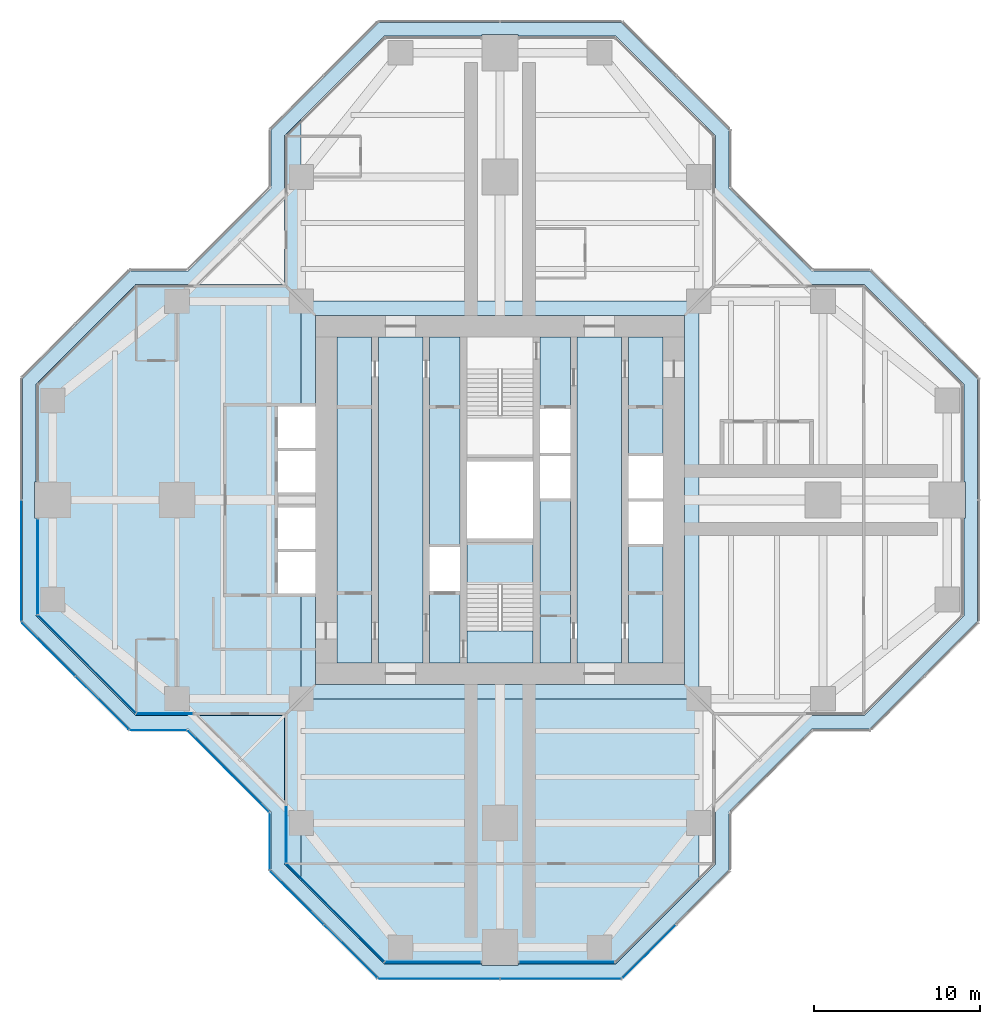
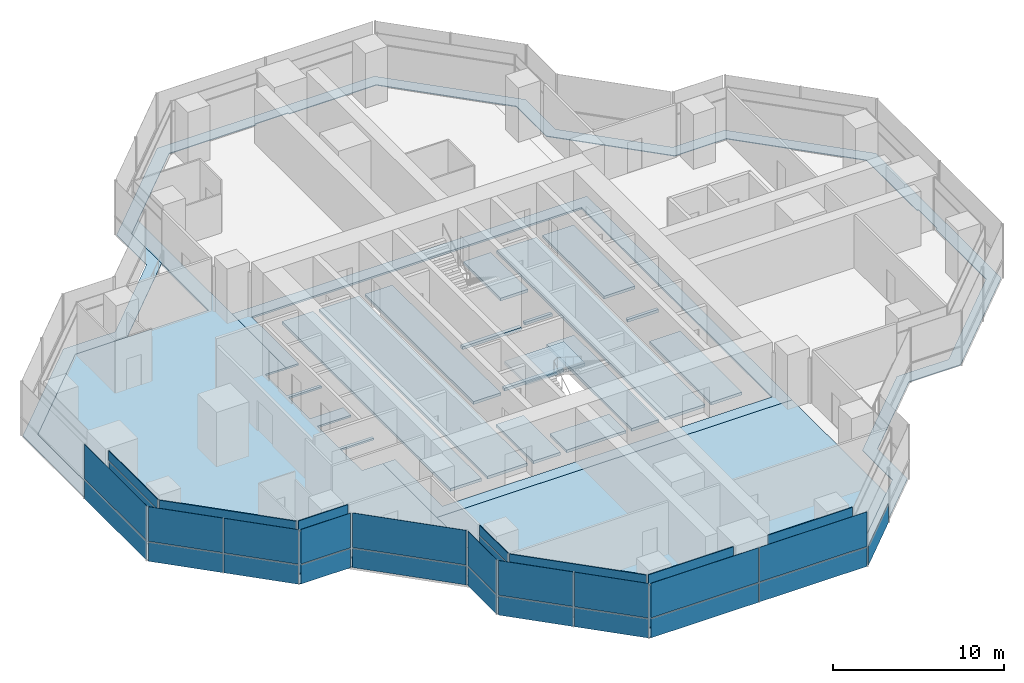
# One storey, part 10 of 17: 36 plates, 7 slabs, 16 elements without a shape of their own.
"""IFC4 building model written with IfcOpenShell, lengths in metres."""

from ifc_helpers import new_model, si_unit, direction, frame, origin, origin_2d, place, context, subcontext, project, spatial, polyline, rectangle, outline, extrude, material, layer, layer_set, type_object, element, aggregate, save


model = new_model("IFC4")

# Units and contexts
model_context = context("Model", 3, precision=1e-05, world=origin(), true_north=direction((0.0, 1.0)))
body_context = subcontext(model_context, "Body", "Model", "MODEL_VIEW")
ifc_project = project(units=[si_unit("LENGTHUNIT", "METRE"), si_unit("AREAUNIT", "SQUARE_METRE"), si_unit("VOLUMEUNIT", "CUBIC_METRE"), si_unit("PLANEANGLEUNIT", "RADIAN"), si_unit("MASSUNIT", "GRAM", prefix="KILO")], contexts=[model_context])

# Site, building, storey
site_placement = place(None, origin())
site = spatial("IfcSite", under=ifc_project, at=site_placement, CompositionType="ELEMENT")
building_placement = place(site_placement, origin())
building = spatial("IfcBuilding", under=site, at=building_placement, Name="Mizan Broadcast Tower", CompositionType="ELEMENT")
storey_placement = place(building_placement, frame((0.0, 0.0, 212.699951171875)))
storey = spatial("IfcBuildingStorey", under=building, at=storey_placement, Name="L49", CompositionType="ELEMENT", Elevation=212.699951171875)

# Plate
ifc_material_1 = material(Name="Aluminium grating", Category="aluminium")
ifc_layer_1 = layer(ifc_material_1, 0.050048828125)
ifc_layer_set_1 = layer_set([ifc_layer_1], Name="Aluminium grating")
plate_type_1 = type_object("IfcPlateType", Name="CAVITY GRATING", PredefinedType="USERDEFINED", material=ifc_layer_set_1)
plate_1_placement = place(storey_placement, frame((0.0, 0.0, -0.050048828125)))
element("IfcPlate", 1, at=plate_1_placement, inside=storey, type_object=plate_type_1, Name="Cavity grating L49", ObjectType="GRATING", PredefinedType="USERDEFINED", context=body_context, shape_type="SweptSolid", body=[
    extrude(outline(polyline([(13.820068359375, -18.839599609375), (18.839599609375, -13.820068359375), (22.339599609375, -13.820068359375), (28.820068359375, -7.339599609375), (28.820068359375, 7.339599609375), (22.339599609375, 13.820068359375), (18.839599609375, 13.820068359375), (13.820068359375, 18.839599609375), (13.820068359375, 22.339599609375), (7.339599609375, 28.820068359375), (-7.339599609375, 28.820068359375), (-13.820068359375, 22.339599609375), (-13.820068359375, 18.839599609375), (-18.839599609375, 13.820068359375), (-22.339599609375, 13.820068359375), (-28.820068359375, 7.339599609375), (-28.820068359375, -7.339599609375), (-22.339599609375, -13.820068359375), (-18.839599609375, -13.820068359375), (-13.820068359375, -18.839599609375), (-13.820068359375, -22.339599609375), (-7.339599609375, -28.820068359375), (7.339599609375, -28.820068359375), (13.820068359375, -22.339599609375), (13.820068359375, -18.839599609375)]), holes=[polyline([(28.0, -1.10009765625), (28.0, -7.0), (22.0, -13.0), (18.5, -13.0), (13.0, -18.5), (13.0, -22.0), (7.0, -28.0), (1.10009765625, -28.0), (1.10009765625, -28.10009765625), (-1.10009765625, -28.10009765625), (-1.10009765625, -28.0), (-7.0, -28.0), (-13.0, -22.0), (-13.0, -18.5), (-18.5, -13.0), (-22.0, -13.0), (-28.0, -7.0), (-28.0, -1.10009765625), (-28.10009765625, -1.10009765625), (-28.10009765625, 1.10009765625), (-28.0, 1.10009765625), (-28.0, 7.0), (-22.0, 13.0), (-18.5, 13.0), (-13.0, 18.5), (-13.0, 22.0), (-7.0, 28.0), (-1.10009765625, 28.0), (-1.10009765625, 28.10009765625), (1.10009765625, 28.10009765625), (1.10009765625, 28.0), (7.0, 28.0), (13.0, 22.0), (13.0, 18.5), (18.5, 13.0), (22.0, 13.0), (28.0, 7.0), (28.0, 1.10009765625), (28.10009765625, 1.10009765625), (28.10009765625, -1.10009765625), (28.0, -1.10009765625)])]), origin(), (0.0, 0.0, 1.0), 0.050048828125),
])

# Slabs
ifc_material_2 = material(Name="Concrete C32/40", Category="concrete")
ifc_layer_2 = layer(ifc_material_2, 0.1298828125)
ifc_layer_set_2 = layer_set([ifc_layer_2], Name="Concrete C32/40")
slab_type_1 = type_object("IfcSlabType", Name="COMPOSITE DECK SLAB 130", PredefinedType="FLOOR", material=ifc_layer_set_2)
slab_1_placement = place(storey_placement, frame((0.0, 0.0, -0.1298828125)))
element("IfcSlab", 2, at=slab_1_placement, inside=storey, type_object=slab_type_1, Name="Floor slab L49 centre", PredefinedType="FLOOR", context=body_context, shape_type="SweptSolid", body=[
    extrude(outline(polyline([(-11.14990234375, -5.64990234375), (-12.0, -5.64990234375), (-12.0, -12.0), (12.0, -12.0), (12.0, 12.0), (-12.0, 12.0), (-12.0, 5.64990234375), (-11.14990234375, 5.64990234375), (-11.14990234375, 11.14990234375), (11.14990234375, 11.14990234375), (11.14990234375, -11.14990234375), (-11.14990234375, -11.14990234375), (-11.14990234375, -5.64990234375)])), origin(), (0.0, 0.0, 1.0), 0.1298828125),
])
slab_2_placement = place(storey_placement, frame((0.0, 0.0, -0.1298828125)))
element("IfcSlab", 3, at=slab_2_placement, inside=storey, type_object=slab_type_1, Name="Floor slab L49 west arm", PredefinedType="FLOOR", context=body_context, shape_type="SweptSolid", body=[
    extrude(outline(polyline([(-22.0, 13.0), (-28.0, 7.0), (-28.0, -7.0), (-22.0, -13.0), (-13.0, -13.0), (-13.0, -22.0), (-12.0, -23.0), (-12.0, -5.64990234375), (-13.39990234375, -5.64990234375), (-13.39990234375, -3.14990234375), (-11.14990234375, -3.14990234375), (-11.14990234375, -2.949951171875), (-13.39990234375, -2.949951171875), (-13.39990234375, -0.449951171875), (-11.14990234375, -0.449951171875), (-11.14990234375, 0.449951171875), (-13.39990234375, 0.449951171875), (-13.39990234375, 2.949951171875), (-11.14990234375, 2.949951171875), (-11.14990234375, 3.14990234375), (-13.39990234375, 3.14990234375), (-13.39990234375, 5.64990234375), (-12.0, 5.64990234375), (-12.0, 23.0), (-13.0, 22.0), (-13.0, 13.0), (-22.0, 13.0)])), origin(), (0.0, 0.0, 1.0), 0.1298828125),
])
slab_3_placement = place(storey_placement, frame((0.0, 0.0, -0.1298828125)))
element("IfcSlab", 4, at=slab_3_placement, inside=storey, type_object=slab_type_1, Name="Floor slab L49 south arm", PredefinedType="FLOOR", context=body_context, shape_type="SweptSolid", body=[
    extrude(outline(polyline([(7.0, -28.0), (12.0, -23.0), (12.0, -12.0), (-12.0, -12.0), (-12.0, -23.0), (-7.0, -28.0), (7.0, -28.0)])), origin(), (0.0, 0.0, 1.0), 0.1298828125),
])
ifc_material_3 = material(Name="Concrete C40/50", Category="concrete")
ifc_layer_3 = layer(ifc_material_3, 0.199951171875)
ifc_layer_set_3 = layer_set([ifc_layer_3], Name="Concrete C40/50")
slab_type_2 = type_object("IfcSlabType", Name="CORE FLOOR 200", PredefinedType="FLOOR", material=ifc_layer_set_3)
slab_4_placement = place(storey_placement, frame((0.0, 0.0, -0.199951171875)))
element("IfcSlab", 5, at=slab_4_placement, inside=storey, type_object=slab_type_2, Name="Core floor L49", PredefinedType="FLOOR", context=body_context, shape_type="SweptSolid", body=[
    extrude(outline(polyline([(-9.85009765625, -9.85009765625), (-7.75, -9.85009765625), (-7.75, 9.85009765625), (-9.85009765625, 9.85009765625), (-9.85009765625, -9.85009765625)])), origin(), (0.0, 0.0, 1.0), 0.199951171875),
    extrude(outline(polyline([(-4.64990234375, 9.85009765625), (-7.35009765625, 9.85009765625), (-7.35009765625, -9.85009765625), (-4.64990234375, -9.85009765625), (-4.64990234375, 9.85009765625)])), origin(), (0.0, 0.0, 1.0), 0.199951171875),
    extrude(outline(polyline([(-4.25, -5.5), (-4.25, -9.85009765625), (-2.39990234375, -9.85009765625), (-2.39990234375, -5.5), (-4.25, -5.5)])), origin(), (0.0, 0.0, 1.0), 0.199951171875),
    extrude(outline(polyline([(-4.25, -2.85009765625), (-2.39990234375, -2.85009765625), (-2.39990234375, 9.85009765625), (-4.25, 9.85009765625), (-4.25, -2.85009765625)])), origin(), (0.0, 0.0, 1.0), 0.199951171875),
    extrude(outline(polyline([(2.0, -2.324951171875), (-2.0, -2.324951171875), (-2.0, -2.574951171875), (2.0, -2.574951171875), (2.0, -2.324951171875)])), origin(), (0.0, 0.0, 1.0), 0.199951171875),
    extrude(outline(polyline([(2.0, 2.574951171875), (-2.0, 2.574951171875), (-2.0, 2.324951171875), (2.0, 2.324951171875), (2.0, 2.574951171875)])), origin(), (0.0, 0.0, 1.0), 0.199951171875),
    extrude(outline(polyline([(4.25, -9.85009765625), (4.25, 0.10009765625), (2.39990234375, 0.10009765625), (2.39990234375, -9.85009765625), (4.25, -9.85009765625)])), origin(), (0.0, 0.0, 1.0), 0.199951171875),
    extrude(outline(polyline([(4.25, 2.64990234375), (4.25, 2.85009765625), (2.39990234375, 2.85009765625), (2.39990234375, 2.64990234375), (4.25, 2.64990234375)])), origin(), (0.0, 0.0, 1.0), 0.199951171875),
    extrude(outline(polyline([(4.25, 5.5), (4.25, 9.85009765625), (2.39990234375, 9.85009765625), (2.39990234375, 5.5), (4.25, 5.5)])), origin(), (0.0, 0.0, 1.0), 0.199951171875),
    extrude(outline(polyline([(4.64990234375, 9.85009765625), (4.64990234375, -9.85009765625), (7.35009765625, -9.85009765625), (7.35009765625, 9.85009765625), (4.64990234375, 9.85009765625)])), origin(), (0.0, 0.0, 1.0), 0.199951171875),
    extrude(outline(polyline([(9.85009765625, -9.85009765625), (9.85009765625, -2.64990234375), (7.75, -2.64990234375), (7.75, -9.85009765625), (9.85009765625, -9.85009765625)])), origin(), (0.0, 0.0, 1.0), 0.199951171875),
    extrude(outline(polyline([(9.85009765625, -0.10009765625), (9.85009765625, 0.10009765625), (7.75, 0.10009765625), (7.75, -0.10009765625), (9.85009765625, -0.10009765625)])), origin(), (0.0, 0.0, 1.0), 0.199951171875),
    extrude(outline(polyline([(7.75, 9.85009765625), (7.75, 2.64990234375), (9.85009765625, 2.64990234375), (9.85009765625, 9.85009765625), (7.75, 9.85009765625)])), origin(), (0.0, 0.0, 1.0), 0.199951171875),
])

# Curtain wall, plate
ifc_material_4 = material(Name="Aluminium framed glazing", Category="aluminium")
curtain_wall_type_1 = type_object("IfcCurtainWallType", Name="INNER SKIN HIGH ZONE", PredefinedType="USERDEFINED", material=ifc_material_4)
curtain_wall_1_placement = place(storey_placement, origin())
curtain_wall_1 = element("IfcCurtainWall", 6, at=curtain_wall_1_placement, inside=storey, type_object=curtain_wall_type_1, Name="Inner skin high zone L49 W end", ObjectType="INNER SKIN HIGH ZONE", PredefinedType="USERDEFINED")
ifc_material_5 = material(Name="Double glazing, clear low-e", Category="glass")
ifc_layer_4 = layer(ifc_material_5, 0.028076171875)
ifc_layer_set_4 = layer_set([ifc_layer_4], Name="Double glazing, clear low-e")
plate_type_2 = type_object("IfcPlateType", Name="INNER SKIN GLAZING UNIT", PredefinedType="CURTAIN_PANEL", material=ifc_layer_set_4)
plate_2_placement = place(storey_placement, frame((-27.89990234375, -4.029296875, 0.0), z_axis=(0.0, 0.0, 1.0), x_axis=(0.0, -1.0, 0.0)))
plate_2 = element("IfcPlate", 7, at=plate_2_placement, type_object=plate_type_2, Name="Inner skin high zone L49 W end panel 1.1", PredefinedType="CURTAIN_PANEL", context=body_context, shape_type="SweptSolid", body=[
    extrude(rectangle(XDim=5.738525390625, YDim=0.028076171875, at=origin_2d()), origin(), (0.0, 0.0, 1.0), 3.0),
])

curtain_wall_2_placement = place(storey_placement, origin())
curtain_wall_2 = element("IfcCurtainWall", 8, at=curtain_wall_2_placement, inside=storey, type_object=curtain_wall_type_1, Name="Inner skin high zone L49 W chamfer", ObjectType="INNER SKIN HIGH ZONE", PredefinedType="USERDEFINED")
plate_3_placement = place(storey_placement, frame((-24.92919921875, -9.92919921875, 0.0), z_axis=(0.0, 0.0, 1.0), x_axis=(0.707106781187, -0.707106781187, 0.0)))
plate_3 = element("IfcPlate", 9, at=plate_3_placement, type_object=plate_type_2, Name="Inner skin high zone L49 W chamfer panel 1.1", PredefinedType="CURTAIN_PANEL", context=body_context, shape_type="SweptSolid", body=[
    extrude(rectangle(XDim=8.282470703125, YDim=0.028076171875, at=origin_2d()), origin(), (0.0, 0.0, 1.0), 3.0),
])

curtain_wall_3_placement = place(storey_placement, origin())
curtain_wall_3 = element("IfcCurtainWall", 10, at=curtain_wall_3_placement, inside=storey, type_object=curtain_wall_type_1, Name="Inner skin high zone L49 W side", ObjectType="INNER SKIN HIGH ZONE", PredefinedType="USERDEFINED")
plate_4_placement = place(storey_placement, frame((-20.229248046875, -12.89990234375, 0.0), z_axis=(0.0, 0.0, 1.0), x_axis=(1.0, 0.0, 0.0)))
plate_4 = element("IfcPlate", 11, at=plate_4_placement, type_object=plate_type_2, Name="Inner skin high zone L49 W side panel 1.1", PredefinedType="CURTAIN_PANEL", context=body_context, shape_type="SweptSolid", body=[
    extrude(rectangle(XDim=3.338623046875, YDim=0.028076171875, at=origin_2d()), origin(), (0.0, 0.0, 1.0), 3.0),
])

curtain_wall_4_placement = place(storey_placement, origin())
curtain_wall_4 = element("IfcCurtainWall", 12, at=curtain_wall_4_placement, inside=storey, type_object=curtain_wall_type_1, Name="Inner skin high zone L49 S side", ObjectType="INNER SKIN HIGH ZONE", PredefinedType="USERDEFINED")
plate_5_placement = place(storey_placement, frame((-12.89990234375, -20.229248046875, 0.0), z_axis=(0.0, 0.0, 1.0), x_axis=(0.0, -1.0, 0.0)))
plate_5 = element("IfcPlate", 13, at=plate_5_placement, type_object=plate_type_2, Name="Inner skin high zone L49 S side panel 1.1", PredefinedType="CURTAIN_PANEL", context=body_context, shape_type="SweptSolid", body=[
    extrude(rectangle(XDim=3.338623046875, YDim=0.028076171875, at=origin_2d()), origin(), (0.0, 0.0, 1.0), 3.0),
])

curtain_wall_5_placement = place(storey_placement, origin())
curtain_wall_5 = element("IfcCurtainWall", 14, at=curtain_wall_5_placement, inside=storey, type_object=curtain_wall_type_1, Name="Inner skin high zone L49 S chamfer", ObjectType="INNER SKIN HIGH ZONE", PredefinedType="USERDEFINED")
plate_6_placement = place(storey_placement, frame((-9.92919921875, -24.92919921875, 0.0), z_axis=(0.0, 0.0, 1.0), x_axis=(0.707106781187, -0.707106781187, 0.0)))
plate_6 = element("IfcPlate", 15, at=plate_6_placement, type_object=plate_type_2, Name="Inner skin high zone L49 S chamfer panel 1.1", PredefinedType="CURTAIN_PANEL", context=body_context, shape_type="SweptSolid", body=[
    extrude(rectangle(XDim=8.282470703125, YDim=0.028076171875, at=origin_2d()), origin(), (0.0, 0.0, 1.0), 3.0),
])

curtain_wall_6_placement = place(storey_placement, origin())
curtain_wall_6 = element("IfcCurtainWall", 16, at=curtain_wall_6_placement, inside=storey, type_object=curtain_wall_type_1, Name="Inner skin high zone L49 S end", ObjectType="INNER SKIN HIGH ZONE", PredefinedType="USERDEFINED")
plate_7_placement = place(storey_placement, frame((-4.029296875, -27.89990234375, 0.0), z_axis=(0.0, 0.0, 1.0), x_axis=(1.0, 0.0, 0.0)))
plate_7 = element("IfcPlate", 17, at=plate_7_placement, type_object=plate_type_2, Name="Inner skin high zone L49 S end panel 1.1", PredefinedType="CURTAIN_PANEL", context=body_context, shape_type="SweptSolid", body=[
    extrude(rectangle(XDim=5.738525390625, YDim=0.028076171875, at=origin_2d()), origin(), (0.0, 0.0, 1.0), 3.0),
])

curtain_wall_7_placement = place(storey_placement, origin())
curtain_wall_7 = element("IfcCurtainWall", 18, at=curtain_wall_7_placement, inside=storey, type_object=curtain_wall_type_1, Name="Inner skin high zone L49 S end", ObjectType="INNER SKIN HIGH ZONE", PredefinedType="USERDEFINED")
plate_8_placement = place(storey_placement, frame((4.029296875, -27.89990234375, 0.0), z_axis=(0.0, 0.0, 1.0), x_axis=(1.0, 0.0, 0.0)))
plate_8 = element("IfcPlate", 19, at=plate_8_placement, type_object=plate_type_2, Name="Inner skin high zone L49 S end panel 1.1", PredefinedType="CURTAIN_PANEL", context=body_context, shape_type="SweptSolid", body=[
    extrude(rectangle(XDim=5.738525390625, YDim=0.028076171875, at=origin_2d()), origin(), (0.0, 0.0, 1.0), 3.0),
])

# Plate
ifc_material_6 = material(Name="Insulated aluminium spandrel panel, pale anodised", Category="aluminium")
ifc_layer_5 = layer(ifc_material_6, 0.050048828125)
ifc_layer_set_5 = layer_set([ifc_layer_5], Name="Insulated aluminium spandrel panel, pale anodised")
plate_type_3 = type_object("IfcPlateType", Name="INNER SKIN SPANDREL PANEL", PredefinedType="CURTAIN_PANEL", material=ifc_layer_set_5)
plate_9_placement = place(storey_placement, frame((-27.89990234375, -4.029296875, 3.06005859375), z_axis=(0.0, 0.0, 1.0), x_axis=(0.0, -1.0, 0.0)))
plate_9 = element("IfcPlate", 20, at=plate_9_placement, type_object=plate_type_3, Name="Inner skin high zone L49 W end panel 1.2", PredefinedType="CURTAIN_PANEL", context=body_context, shape_type="SweptSolid", body=[
    extrude(rectangle(XDim=5.738525390625, YDim=0.050048828125, at=origin_2d()), origin(), (0.0, 0.0, 1.0), 0.7099609375),
])

aggregate(curtain_wall_1, [plate_2, plate_9])

plate_10_placement = place(storey_placement, frame((-24.92919921875, -9.92919921875, 3.06005859375), z_axis=(0.0, 0.0, 1.0), x_axis=(0.707106781187, -0.707106781187, 0.0)))
plate_10 = element("IfcPlate", 21, at=plate_10_placement, type_object=plate_type_3, Name="Inner skin high zone L49 W chamfer panel 1.2", PredefinedType="CURTAIN_PANEL", context=body_context, shape_type="SweptSolid", body=[
    extrude(rectangle(XDim=8.282470703125, YDim=0.050048828125, at=origin_2d()), origin(), (0.0, 0.0, 1.0), 0.7099609375),
])

aggregate(curtain_wall_2, [plate_3, plate_10])

plate_11_placement = place(storey_placement, frame((-20.229248046875, -12.89990234375, 3.06005859375), z_axis=(0.0, 0.0, 1.0), x_axis=(1.0, 0.0, 0.0)))
plate_11 = element("IfcPlate", 22, at=plate_11_placement, type_object=plate_type_3, Name="Inner skin high zone L49 W side panel 1.2", PredefinedType="CURTAIN_PANEL", context=body_context, shape_type="SweptSolid", body=[
    extrude(rectangle(XDim=3.338623046875, YDim=0.050048828125, at=origin_2d()), origin(), (0.0, 0.0, 1.0), 0.7099609375),
])

aggregate(curtain_wall_3, [plate_4, plate_11])

plate_12_placement = place(storey_placement, frame((-12.89990234375, -20.229248046875, 3.06005859375), z_axis=(0.0, 0.0, 1.0), x_axis=(0.0, -1.0, 0.0)))
plate_12 = element("IfcPlate", 23, at=plate_12_placement, type_object=plate_type_3, Name="Inner skin high zone L49 S side panel 1.2", PredefinedType="CURTAIN_PANEL", context=body_context, shape_type="SweptSolid", body=[
    extrude(rectangle(XDim=3.338623046875, YDim=0.050048828125, at=origin_2d()), origin(), (0.0, 0.0, 1.0), 0.7099609375),
])

aggregate(curtain_wall_4, [plate_5, plate_12])

plate_13_placement = place(storey_placement, frame((-9.92919921875, -24.92919921875, 3.06005859375), z_axis=(0.0, 0.0, 1.0), x_axis=(0.707106781187, -0.707106781187, 0.0)))
plate_13 = element("IfcPlate", 24, at=plate_13_placement, type_object=plate_type_3, Name="Inner skin high zone L49 S chamfer panel 1.2", PredefinedType="CURTAIN_PANEL", context=body_context, shape_type="SweptSolid", body=[
    extrude(rectangle(XDim=8.282470703125, YDim=0.050048828125, at=origin_2d()), origin(), (0.0, 0.0, 1.0), 0.7099609375),
])

aggregate(curtain_wall_5, [plate_6, plate_13])

plate_14_placement = place(storey_placement, frame((-4.029296875, -27.89990234375, 3.06005859375), z_axis=(0.0, 0.0, 1.0), x_axis=(1.0, 0.0, 0.0)))
plate_14 = element("IfcPlate", 25, at=plate_14_placement, type_object=plate_type_3, Name="Inner skin high zone L49 S end panel 1.2", PredefinedType="CURTAIN_PANEL", context=body_context, shape_type="SweptSolid", body=[
    extrude(rectangle(XDim=5.738525390625, YDim=0.050048828125, at=origin_2d()), origin(), (0.0, 0.0, 1.0), 0.7099609375),
])

aggregate(curtain_wall_6, [plate_7, plate_14])

plate_15_placement = place(storey_placement, frame((4.029296875, -27.89990234375, 3.06005859375), z_axis=(0.0, 0.0, 1.0), x_axis=(1.0, 0.0, 0.0)))
plate_15 = element("IfcPlate", 26, at=plate_15_placement, type_object=plate_type_3, Name="Inner skin high zone L49 S end panel 1.2", PredefinedType="CURTAIN_PANEL", context=body_context, shape_type="SweptSolid", body=[
    extrude(rectangle(XDim=5.738525390625, YDim=0.050048828125, at=origin_2d()), origin(), (0.0, 0.0, 1.0), 0.7099609375),
])

aggregate(curtain_wall_7, [plate_8, plate_15])

# Curtain wall, plates
ifc_material_7 = material(Name="Aluminium framed glazing", Category="aluminium")
curtain_wall_type_2 = type_object("IfcCurtainWallType", Name="OUTER SKIN", PredefinedType="USERDEFINED", material=ifc_material_7)
curtain_wall_8_placement = place(storey_placement, origin())
curtain_wall_8 = element("IfcCurtainWall", 27, at=curtain_wall_8_placement, inside=storey, type_object=curtain_wall_type_2, Name="Outer skin L49 W chamfer", ObjectType="OUTER SKIN", PredefinedType="USERDEFINED")
ifc_material_8 = material(Name="Laminated clear glass", Category="glass")
ifc_layer_6 = layer(ifc_material_8, 0.02001953125)
ifc_layer_set_6 = layer_set([ifc_layer_6], Name="Laminated clear glass")
plate_type_4 = type_object("IfcPlateType", Name="OUTER SKIN CLEAR GLASS", PredefinedType="CURTAIN_PANEL", material=ifc_layer_set_6)
plate_16_placement = place(storey_placement, frame((-27.254150390625, -9.018798828125, 0.0), z_axis=(0.0, 0.0, 1.0), x_axis=(0.707106781187, -0.707106781187, 0.0)))
plate_16 = element("IfcPlate", 28, at=plate_16_placement, type_object=plate_type_4, Name="Outer skin L49 W chamfer panel 1.1", PredefinedType="CURTAIN_PANEL", context=body_context, shape_type="SweptSolid", body=[
    extrude(rectangle(XDim=4.495361328125, YDim=0.02001953125, at=origin_2d()), origin(), (0.0, 0.0, 1.0), 1.3701171875),
])
plate_17_placement = place(storey_placement, frame((-27.254150390625, -9.018798828125, 1.43017578125), z_axis=(0.0, 0.0, 1.0), x_axis=(0.707106781187, -0.707106781187, 0.0)))
plate_17 = element("IfcPlate", 29, at=plate_17_placement, type_object=plate_type_4, Name="Outer skin L49 W chamfer panel 1.2", PredefinedType="CURTAIN_PANEL", context=body_context, shape_type="SweptSolid", body=[
    extrude(rectangle(XDim=4.495361328125, YDim=0.02001953125, at=origin_2d()), origin(), (0.0, 0.0, 1.0), 2.469970703125),
])

curtain_wall_9_placement = place(storey_placement, origin())
curtain_wall_9 = element("IfcCurtainWall", 30, at=curtain_wall_9_placement, inside=storey, type_object=curtain_wall_type_2, Name="Outer skin L49 W side", ObjectType="OUTER SKIN", PredefinedType="USERDEFINED")
plate_18_placement = place(storey_placement, frame((-20.622802734375, -13.89990234375, 0.0), z_axis=(0.0, 0.0, 1.0), x_axis=(1.0, 0.0, 0.0)))
plate_18 = element("IfcPlate", 31, at=plate_18_placement, type_object=plate_type_4, Name="Outer skin L49 W side panel 1.1", PredefinedType="CURTAIN_PANEL", context=body_context, shape_type="SweptSolid", body=[
    extrude(rectangle(XDim=3.340087890625, YDim=0.02001953125, at=origin_2d()), origin(), (0.0, 0.0, 1.0), 1.3701171875),
])
plate_19_placement = place(storey_placement, frame((-20.622802734375, -13.89990234375, 1.43017578125), z_axis=(0.0, 0.0, 1.0), x_axis=(1.0, 0.0, 0.0)))
plate_19 = element("IfcPlate", 32, at=plate_19_placement, type_object=plate_type_4, Name="Outer skin L49 W side panel 1.2", PredefinedType="CURTAIN_PANEL", context=body_context, shape_type="SweptSolid", body=[
    extrude(rectangle(XDim=3.340087890625, YDim=0.02001953125, at=origin_2d()), origin(), (0.0, 0.0, 1.0), 2.469970703125),
])
aggregate(curtain_wall_9, [plate_18, plate_19])

curtain_wall_10_placement = place(storey_placement, origin())
curtain_wall_10 = element("IfcCurtainWall", 33, at=curtain_wall_10_placement, inside=storey, type_object=curtain_wall_type_2, Name="Outer skin L49 W chamfer", ObjectType="OUTER SKIN", PredefinedType="USERDEFINED")
plate_20_placement = place(storey_placement, frame((-16.386474609375, -16.386474609375, 0.0), z_axis=(0.0, 0.0, 1.0), x_axis=(0.707106781187, -0.707106781187, 0.0)))
plate_20 = element("IfcPlate", 34, at=plate_20_placement, type_object=plate_type_4, Name="Outer skin L49 W chamfer panel 1.1", PredefinedType="CURTAIN_PANEL", context=body_context, shape_type="SweptSolid", body=[
    extrude(rectangle(XDim=6.87255859375, YDim=0.02001953125, at=origin_2d()), origin(), (0.0, 0.0, 1.0), 1.3701171875),
])
plate_21_placement = place(storey_placement, frame((-16.386474609375, -16.386474609375, 1.43017578125), z_axis=(0.0, 0.0, 1.0), x_axis=(0.707106781187, -0.707106781187, 0.0)))
plate_21 = element("IfcPlate", 35, at=plate_21_placement, type_object=plate_type_4, Name="Outer skin L49 W chamfer panel 1.2", PredefinedType="CURTAIN_PANEL", context=body_context, shape_type="SweptSolid", body=[
    extrude(rectangle(XDim=6.87255859375, YDim=0.02001953125, at=origin_2d()), origin(), (0.0, 0.0, 1.0), 2.469970703125),
])
aggregate(curtain_wall_10, [plate_20, plate_21])

curtain_wall_11_placement = place(storey_placement, origin())
curtain_wall_11 = element("IfcCurtainWall", 36, at=curtain_wall_11_placement, inside=storey, type_object=curtain_wall_type_2, Name="Outer skin L49 S side", ObjectType="OUTER SKIN", PredefinedType="USERDEFINED")
plate_22_placement = place(storey_placement, frame((-13.89990234375, -20.622802734375, 0.0), z_axis=(0.0, 0.0, 1.0), x_axis=(0.0, -1.0, 0.0)))
plate_22 = element("IfcPlate", 37, at=plate_22_placement, type_object=plate_type_4, Name="Outer skin L49 S side panel 1.1", PredefinedType="CURTAIN_PANEL", context=body_context, shape_type="SweptSolid", body=[
    extrude(rectangle(XDim=3.340087890625, YDim=0.02001953125, at=origin_2d()), origin(), (0.0, 0.0, 1.0), 1.3701171875),
])
plate_23_placement = place(storey_placement, frame((-13.89990234375, -20.622802734375, 1.43017578125), z_axis=(0.0, 0.0, 1.0), x_axis=(0.0, -1.0, 0.0)))
plate_23 = element("IfcPlate", 38, at=plate_23_placement, type_object=plate_type_4, Name="Outer skin L49 S side panel 1.2", PredefinedType="CURTAIN_PANEL", context=body_context, shape_type="SweptSolid", body=[
    extrude(rectangle(XDim=3.340087890625, YDim=0.02001953125, at=origin_2d()), origin(), (0.0, 0.0, 1.0), 2.469970703125),
])
aggregate(curtain_wall_11, [plate_22, plate_23])

curtain_wall_12_placement = place(storey_placement, origin())
curtain_wall_12 = element("IfcCurtainWall", 39, at=curtain_wall_12_placement, inside=storey, type_object=curtain_wall_type_2, Name="Outer skin L49 S chamfer", ObjectType="OUTER SKIN", PredefinedType="USERDEFINED")
plate_24_placement = place(storey_placement, frame((-12.254150390625, -24.018798828125, 0.0), z_axis=(0.0, 0.0, 1.0), x_axis=(0.707106781187, -0.707106781187, 0.0)))
plate_24 = element("IfcPlate", 40, at=plate_24_placement, type_object=plate_type_4, Name="Outer skin L49 S chamfer panel 1.1", PredefinedType="CURTAIN_PANEL", context=body_context, shape_type="SweptSolid", body=[
    extrude(rectangle(XDim=4.495361328125, YDim=0.02001953125, at=origin_2d()), origin(), (0.0, 0.0, 1.0), 1.3701171875),
])
plate_25_placement = place(storey_placement, frame((-12.254150390625, -24.018798828125, 1.43017578125), z_axis=(0.0, 0.0, 1.0), x_axis=(0.707106781187, -0.707106781187, 0.0)))
plate_25 = element("IfcPlate", 41, at=plate_25_placement, type_object=plate_type_4, Name="Outer skin L49 S chamfer panel 1.2", PredefinedType="CURTAIN_PANEL", context=body_context, shape_type="SweptSolid", body=[
    extrude(rectangle(XDim=4.495361328125, YDim=0.02001953125, at=origin_2d()), origin(), (0.0, 0.0, 1.0), 2.469970703125),
])

curtain_wall_13_placement = place(storey_placement, origin())
curtain_wall_13 = element("IfcCurtainWall", 42, at=curtain_wall_13_placement, inside=storey, type_object=curtain_wall_type_2, Name="Outer skin L49 S end", ObjectType="OUTER SKIN", PredefinedType="USERDEFINED")
plate_26_placement = place(storey_placement, frame((-3.66650390625, -28.89990234375, 0.0), z_axis=(0.0, 0.0, 1.0), x_axis=(1.0, 0.0, 0.0)))
plate_26 = element("IfcPlate", 43, at=plate_26_placement, type_object=plate_type_4, Name="Outer skin L49 S end panel 1.1", PredefinedType="CURTAIN_PANEL", context=body_context, shape_type="SweptSolid", body=[
    extrude(rectangle(XDim=7.252685546875, YDim=0.02001953125, at=origin_2d()), origin(), (0.0, 0.0, 1.0), 1.3701171875),
])
plate_27_placement = place(storey_placement, frame((-3.66650390625, -28.89990234375, 1.43017578125), z_axis=(0.0, 0.0, 1.0), x_axis=(1.0, 0.0, 0.0)))
plate_27 = element("IfcPlate", 44, at=plate_27_placement, type_object=plate_type_4, Name="Outer skin L49 S end panel 1.2", PredefinedType="CURTAIN_PANEL", context=body_context, shape_type="SweptSolid", body=[
    extrude(rectangle(XDim=7.252685546875, YDim=0.02001953125, at=origin_2d()), origin(), (0.0, 0.0, 1.0), 2.469970703125),
])

# Curtain wall, plate
curtain_wall_14_placement = place(storey_placement, origin())
curtain_wall_14 = element("IfcCurtainWall", 45, at=curtain_wall_14_placement, inside=storey, type_object=curtain_wall_type_2, Name="Outer skin L49 S chamfer", ObjectType="OUTER SKIN", PredefinedType="USERDEFINED")
plate_28_placement = place(storey_placement, frame((9.018798828125, -27.254150390625, 0.0), z_axis=(0.0, 0.0, 1.0), x_axis=(0.707106781187, 0.707106781187, 0.0)))
plate_28 = element("IfcPlate", 46, at=plate_28_placement, type_object=plate_type_4, Name="Outer skin L49 S chamfer panel 1.1", PredefinedType="CURTAIN_PANEL", context=body_context, shape_type="SweptSolid", body=[
    extrude(rectangle(XDim=4.495361328125, YDim=0.02001953125, at=origin_2d()), origin(), (0.0, 0.0, 1.0), 1.3701171875),
])
aggregate(curtain_wall_14, [plate_28])

# Curtain wall, plates
curtain_wall_15_placement = place(storey_placement, origin())
curtain_wall_15 = element("IfcCurtainWall", 47, at=curtain_wall_15_placement, inside=storey, type_object=curtain_wall_type_2, Name="Outer skin L49 W end", ObjectType="OUTER SKIN", PredefinedType="USERDEFINED")
ifc_material_9 = material(Name="Perforated aluminium, pale anodised", Category="aluminium")
ifc_layer_7 = layer(ifc_material_9, 0.011962890625)
ifc_layer_set_7 = layer_set([ifc_layer_7], Name="Perforated aluminium, pale anodised")
plate_type_5 = type_object("IfcPlateType", Name="OUTER SKIN PERFORATED SCREEN", PredefinedType="USERDEFINED", material=ifc_layer_set_7)
plate_29_placement = place(storey_placement, frame((-28.89990234375, -3.66650390625, 0.0), z_axis=(0.0, 0.0, 1.0), x_axis=(0.0, -1.0, 0.0)))
plate_29 = element("IfcPlate", 48, at=plate_29_placement, type_object=plate_type_5, Name="Outer skin L49 W end panel 2.1", ObjectType="SCREEN", PredefinedType="USERDEFINED", context=body_context, shape_type="SweptSolid", body=[
    extrude(rectangle(XDim=7.252685546875, YDim=0.011962890625, at=origin_2d()), origin(), (0.0, 0.0, 1.0), 1.3701171875),
])
plate_30_placement = place(storey_placement, frame((-28.89990234375, -3.66650390625, 1.43017578125), z_axis=(0.0, 0.0, 1.0), x_axis=(0.0, -1.0, 0.0)))
plate_30 = element("IfcPlate", 49, at=plate_30_placement, type_object=plate_type_5, Name="Outer skin L49 W end panel 2.2", ObjectType="SCREEN", PredefinedType="USERDEFINED", context=body_context, shape_type="SweptSolid", body=[
    extrude(rectangle(XDim=7.252685546875, YDim=0.011962890625, at=origin_2d()), origin(), (0.0, 0.0, 1.0), 2.469970703125),
])
aggregate(curtain_wall_15, [plate_29, plate_30])

# Plate
plate_31_placement = place(storey_placement, frame((-24.018798828125, -12.254150390625, 0.0), z_axis=(0.0, 0.0, 1.0), x_axis=(0.707106781187, -0.707106781187, 0.0)))
plate_31 = element("IfcPlate", 50, at=plate_31_placement, type_object=plate_type_5, Name="Outer skin L49 W chamfer panel 2.1", ObjectType="SCREEN", PredefinedType="USERDEFINED", context=body_context, shape_type="SweptSolid", body=[
    extrude(rectangle(XDim=4.495361328125, YDim=0.011962890625, at=origin_2d()), origin(), (0.0, 0.0, 1.0), 1.3701171875),
])

plate_32_placement = place(storey_placement, frame((-24.018798828125, -12.254150390625, 1.43017578125), z_axis=(0.0, 0.0, 1.0), x_axis=(0.707106781187, -0.707106781187, 0.0)))
plate_32 = element("IfcPlate", 51, at=plate_32_placement, type_object=plate_type_5, Name="Outer skin L49 W chamfer panel 2.2", ObjectType="SCREEN", PredefinedType="USERDEFINED", context=body_context, shape_type="SweptSolid", body=[
    extrude(rectangle(XDim=4.495361328125, YDim=0.011962890625, at=origin_2d()), origin(), (0.0, 0.0, 1.0), 2.469970703125),
])

aggregate(curtain_wall_8, [plate_16, plate_17, plate_31, plate_32])

plate_33_placement = place(storey_placement, frame((-9.018798828125, -27.254150390625, 0.0), z_axis=(0.0, 0.0, 1.0), x_axis=(0.707106781187, -0.707106781187, 0.0)))
plate_33 = element("IfcPlate", 52, at=plate_33_placement, type_object=plate_type_5, Name="Outer skin L49 S chamfer panel 2.1", ObjectType="SCREEN", PredefinedType="USERDEFINED", context=body_context, shape_type="SweptSolid", body=[
    extrude(rectangle(XDim=4.495361328125, YDim=0.011962890625, at=origin_2d()), origin(), (0.0, 0.0, 1.0), 1.3701171875),
])

plate_34_placement = place(storey_placement, frame((-9.018798828125, -27.254150390625, 1.43017578125), z_axis=(0.0, 0.0, 1.0), x_axis=(0.707106781187, -0.707106781187, 0.0)))
plate_34 = element("IfcPlate", 53, at=plate_34_placement, type_object=plate_type_5, Name="Outer skin L49 S chamfer panel 2.2", ObjectType="SCREEN", PredefinedType="USERDEFINED", context=body_context, shape_type="SweptSolid", body=[
    extrude(rectangle(XDim=4.495361328125, YDim=0.011962890625, at=origin_2d()), origin(), (0.0, 0.0, 1.0), 2.469970703125),
])

aggregate(curtain_wall_12, [plate_24, plate_25, plate_33, plate_34])

plate_35_placement = place(storey_placement, frame((3.66650390625, -28.89990234375, 0.0), z_axis=(0.0, 0.0, 1.0), x_axis=(1.0, 0.0, 0.0)))
plate_35 = element("IfcPlate", 54, at=plate_35_placement, type_object=plate_type_5, Name="Outer skin L49 S end panel 2.1", ObjectType="SCREEN", PredefinedType="USERDEFINED", context=body_context, shape_type="SweptSolid", body=[
    extrude(rectangle(XDim=7.252685546875, YDim=0.011962890625, at=origin_2d()), origin(), (0.0, 0.0, 1.0), 1.3701171875),
])

plate_36_placement = place(storey_placement, frame((3.66650390625, -28.89990234375, 1.43017578125), z_axis=(0.0, 0.0, 1.0), x_axis=(1.0, 0.0, 0.0)))
plate_36 = element("IfcPlate", 55, at=plate_36_placement, type_object=plate_type_5, Name="Outer skin L49 S end panel 2.2", ObjectType="SCREEN", PredefinedType="USERDEFINED", context=body_context, shape_type="SweptSolid", body=[
    extrude(rectangle(XDim=7.252685546875, YDim=0.011962890625, at=origin_2d()), origin(), (0.0, 0.0, 1.0), 2.469970703125),
])

aggregate(curtain_wall_13, [plate_26, plate_27, plate_35, plate_36])

# Stair, slabs
ifc_material_10 = material(Name="Concrete C40/50", Category="concrete")
stair_type = type_object("IfcStairType", Name="EXIT STAIR", PredefinedType="HALF_TURN_STAIR", material=ifc_material_10)
stair_placement = place(storey_placement, origin())
stair = element("IfcStair", 56, at=stair_placement, inside=storey, type_object=stair_type, Name="Stair A L49", PredefinedType="HALF_TURN_STAIR")
ifc_material_11 = material(Name="Concrete C40/50", Category="concrete")
ifc_layer_8 = layer(ifc_material_11, 0.199951171875)
ifc_layer_set_8 = layer_set([ifc_layer_8], Name="Concrete C40/50")
slab_type_3 = type_object("IfcSlabType", Name="STAIR LANDING 200", PredefinedType="LANDING", material=ifc_layer_set_8)
slab_5_placement = place(storey_placement, frame((0.0, 0.0, -0.199951171875)))
slab_5 = element("IfcSlab", 57, at=slab_5_placement, type_object=slab_type_3, Name="A landing 1", PredefinedType="LANDING", context=body_context, shape_type="SweptSolid", body=[
    extrude(outline(polyline([(-2.0, -9.85009765625), (-2.0, -7.89990234375), (2.0, -7.89990234375), (2.0, -9.85009765625), (-2.0, -9.85009765625)])), origin(), (0.0, 0.0, 1.0), 0.199951171875),
])
slab_6_placement = place(storey_placement, frame((0.0, 0.0, 1.75)))
slab_6 = element("IfcSlab", 58, at=slab_6_placement, type_object=slab_type_3, Name="A landing 2", PredefinedType="LANDING", context=body_context, shape_type="SweptSolid", body=[
    extrude(outline(polyline([(-2.0, -5.10009765625), (-2.0, -2.574951171875), (2.0, -2.574951171875), (2.0, -5.10009765625), (-2.0, -5.10009765625)])), origin(), (0.0, 0.0, 1.0), 0.199951171875),
])
aggregate(stair, [slab_5, slab_6])

# Slab
ifc_material_12 = material(Name="Concrete C32/40", Category="concrete")
ifc_layer_9 = layer(ifc_material_12, 0.1298828125)
ifc_layer_set_9 = layer_set([ifc_layer_9], Name="Concrete C32/40")
slab_type_4 = type_object("IfcSlabType", Name="WINTER GARDEN SLAB 130", PredefinedType="FLOOR", material=ifc_layer_set_9)
slab_7_placement = place(storey_placement, frame((0.0, 0.0, -0.1298828125)))
element("IfcSlab", 59, at=slab_7_placement, inside=storey, type_object=slab_type_4, Name="Winter garden slab L49 W", PredefinedType="FLOOR", context=body_context, shape_type="SweptSolid", body=[
    extrude(outline(polyline([(-13.0, -13.0), (-18.5, -13.0), (-13.0, -18.5), (-13.0, -13.0)])), origin(), (0.0, 0.0, 1.0), 0.1298828125),
])

save(model, "model.ifc")
